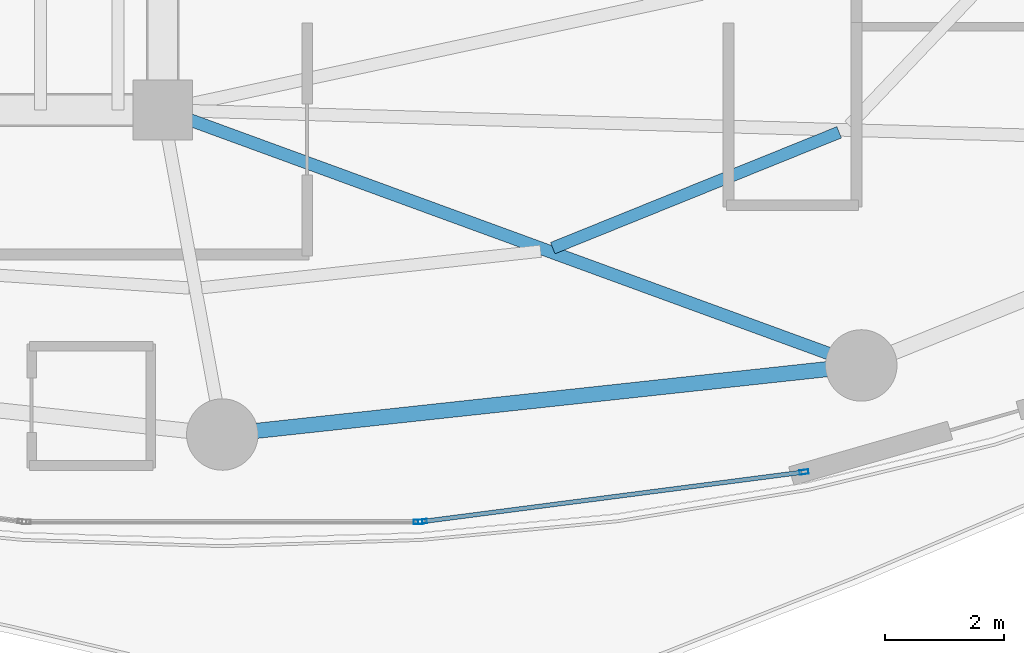
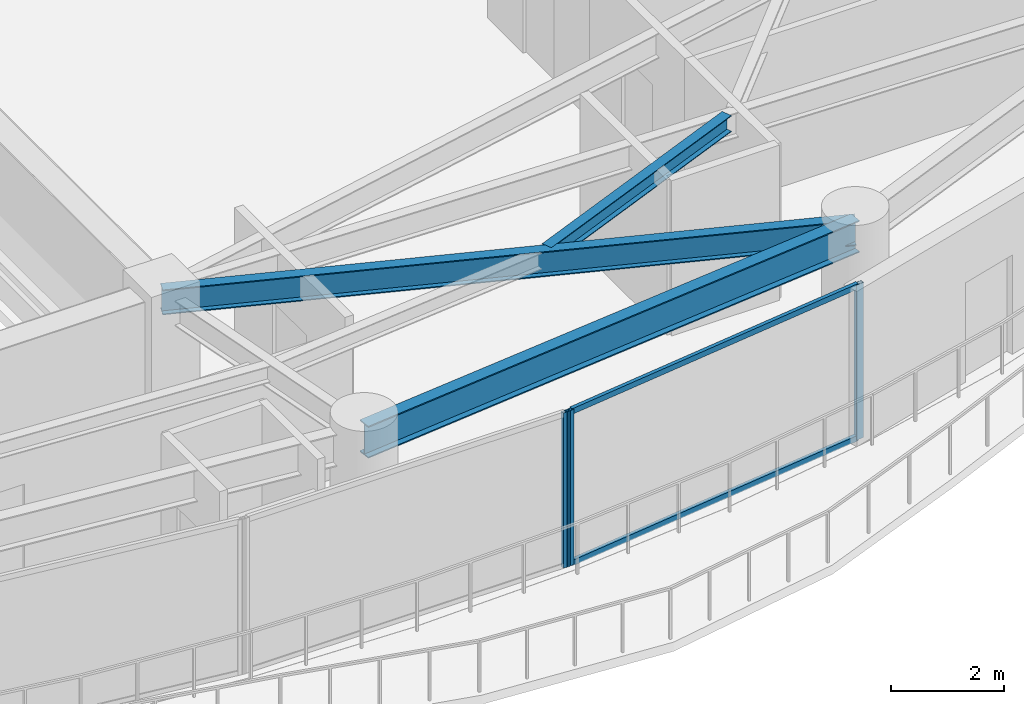
# One storey, part 9 of 28: 5 members, 3 beams, 2 elements without a shape of their own.
"""IFC4 building model written with IfcOpenShell, lengths in metres."""

import ifcopenshell
import ifcopenshell.guid

model = None  # the IFC model being written
_history = None  # IfcOwnerHistory: only IFC2X3 demands one
_inside = {}  # id of a spatial element -> (the spatial element, [elements in it])
_under = {}  # id of a project, library or spatial element -> (it, [spatial elements below it])
_declared = {}  # id of a project -> (the project, [libraries it declares])
_typed = {}  # id of a type object -> (the type object, [elements of that type])
_made_of = {}  # id of a material, layer set ... -> (it, [elements and type objects made of it])


def new_model(schema):
    """Start an empty IFC model of exactly this schema.

    Asked for "IFC4X3", IfcOpenShell would pick the latest addendum, in which some entities
    have other attributes; the version numbers below select the first issue.
    IFC2X3 requires an IfcOwnerHistory on every rooted entity: one is made here for all.
    """
    global model, _history
    if schema == "IFC4X3":
        model = ifcopenshell.file(schema_version=(4, 3, 0, 0))
    else:
        model = ifcopenshell.file(schema=schema)
    _inside.clear()
    _under.clear()
    _declared.clear()
    _typed.clear()
    _made_of.clear()
    _history = None
    if model.schema == "IFC2X3":
        org = make("IfcOrganization", Name="unknown")
        user = make(
            "IfcPersonAndOrganization",
            ThePerson=make("IfcPerson", FamilyName="unknown"),
            TheOrganization=org,
        )
        app = make(
            "IfcApplication",
            ApplicationDeveloper=org,
            Version="unknown",
            ApplicationFullName="unknown",
            ApplicationIdentifier="unknown",
        )
        _history = make(
            "IfcOwnerHistory",
            OwningUser=user,
            OwningApplication=app,
            ChangeAction="ADDED",
            CreationDate=0,
        )
    return model


def make(cls, **values):
    """One entity of the class cls with the attributes given. An attribute that is None is left unset."""
    return model.create_entity(
        cls, **{name: value for name, value in values.items() if value is not None}
    )


def rooted(cls, **values):
    """An entity with a GlobalId (a new one), such as an element, a storey or a relation."""
    return make(cls, GlobalId=ifcopenshell.guid.new(), OwnerHistory=_history, **values)


def si_unit(unit_type, name, prefix=None):
    """IfcSIUnit, for example si_unit("LENGTHUNIT", "METRE", prefix="MILLI")."""
    return make("IfcSIUnit", UnitType=unit_type, Prefix=prefix, Name=name)


def assignment(units):
    """IfcUnitAssignment: the units of a project."""
    return None if units is None else make("IfcUnitAssignment", Units=units)


def point(xyz):
    """IfcCartesianPoint."""
    return None if xyz is None else make("IfcCartesianPoint", Coordinates=xyz)


def direction(xyz):
    """IfcDirection."""
    return None if xyz is None else make("IfcDirection", DirectionRatios=xyz)


def frame(location, z_axis=None, x_axis=None):
    """IfcAxis2Placement3D, a coordinate frame: its origin and axes. An axis left out is left unset."""
    return make(
        "IfcAxis2Placement3D",
        Location=point(location),
        Axis=direction(z_axis),
        RefDirection=direction(x_axis),
    )


def frame_2d(location, x_axis=None):
    """IfcAxis2Placement2D, a coordinate frame in the plane: its origin and x axis."""
    return make(
        "IfcAxis2Placement2D", Location=point(location), RefDirection=direction(x_axis)
    )


def origin():
    """The frame at (0, 0, 0) with its axes left unset."""
    return frame((0.0, 0.0, 0.0))


def origin_2d():
    """The frame at (0, 0) in the plane with its x axis left unset."""
    return frame_2d((0.0, 0.0))


def place(relative_to, where):
    """IfcLocalPlacement: puts the frame where relative to a parent placement (None: the world)."""
    return make(
        "IfcLocalPlacement", PlacementRelTo=relative_to, RelativePlacement=where
    )


def context(
    kind, dimensions, precision=None, world=None, true_north=None, identifier=None
):
    """IfcGeometricRepresentationContext, for example the 3D "Model" context."""
    return make(
        "IfcGeometricRepresentationContext",
        ContextIdentifier=identifier,
        ContextType=kind,
        CoordinateSpaceDimension=dimensions,
        Precision=precision,
        WorldCoordinateSystem=world,
        TrueNorth=true_north,
    )


def subcontext(parent, identifier, kind, view, scale=None):
    """IfcGeometricRepresentationSubContext, for example "Body" below "Model"."""
    return make(
        "IfcGeometricRepresentationSubContext",
        ContextIdentifier=identifier,
        ContextType=kind,
        ParentContext=parent,
        TargetScale=scale,
        TargetView=view,
    )


def project(units=None, contexts=None):
    """IfcProject with its units and contexts."""
    return rooted(
        "IfcProject",
        Name="project",
        RepresentationContexts=contexts,
        UnitsInContext=assignment(units),
    )


def spatial(cls, under=None, at=None, **own):
    """A site, building, storey or space (cls), placed at a placement, below another one or the project."""
    s = rooted(cls, ObjectPlacement=at, **own)
    if under is not None:
        _under.setdefault(under.id(), (under, []))[1].append(s)
    return s


def profile(cls, at=None, kind="AREA", **sizes):
    """A parametric profile (cls). Its sizes go by their IFC names, for example OverallWidth=200.0."""
    return make(cls, ProfileType=kind, Position=at, **sizes)


def hollow_rectangle(**sizes):
    """IfcRectangleHollowProfileDef."""
    return profile("IfcRectangleHollowProfileDef", **sizes)


def i_section(**sizes):
    """IfcIShapeProfileDef."""
    return profile("IfcIShapeProfileDef", **sizes)


def extrude(swept, where, along, depth):
    """IfcExtrudedAreaSolid: the profile swept, set in the frame where, extruded along a direction by depth."""
    return make(
        "IfcExtrudedAreaSolid",
        SweptArea=swept,
        Position=where,
        ExtrudedDirection=direction(along),
        Depth=depth,
    )


def shape(context_of_items, identifier, shape_type, items):
    """IfcShapeRepresentation: the items that make up one representation, for example the "Body"."""
    return make(
        "IfcShapeRepresentation",
        ContextOfItems=context_of_items,
        RepresentationIdentifier=identifier,
        RepresentationType=shape_type,
        Items=items,
    )


def material(Name=None, Category=None):
    """IfcMaterial."""
    return make("IfcMaterial", Name=Name, Category=Category)


def layer(
    of_material, thickness, ventilated=None, Name=None, Category=None, Priority=None
):
    """IfcMaterialLayer: one layer of a wall or slab, of a material (None: an air gap)."""
    return make(
        "IfcMaterialLayer",
        Material=of_material,
        LayerThickness=thickness,
        IsVentilated=ventilated,
        Name=Name,
        Category=Category,
        Priority=Priority,
    )


def layer_set(layers, Name=None):
    """IfcMaterialLayerSet."""
    return make("IfcMaterialLayerSet", MaterialLayers=layers, LayerSetName=Name)


def material_profile(
    of_material, cross_section, Name=None, Category=None, Priority=None
):
    """IfcMaterialProfile: a cross section and its material."""
    return make(
        "IfcMaterialProfile",
        Name=Name,
        Material=of_material,
        Profile=cross_section,
        Priority=Priority,
        Category=Category,
    )


def profile_set(profiles, Name=None, composite=None):
    """IfcMaterialProfileSet."""
    return make(
        "IfcMaterialProfileSet",
        Name=Name,
        MaterialProfiles=profiles,
        CompositeProfile=composite,
    )


def made_of(thing, what):
    """Note that an element or type object is made of a material, layer set ...; save() writes the relation."""
    if what is not None:
        _made_of.setdefault(what.id(), (what, []))[1].append(thing)
    return thing


def type_object(cls, material=None, **own):
    """A type object (cls), such as IfcWallType, which elements share."""
    return made_of(rooted(cls, **own), material)


def element(
    cls,
    number,
    at=None,
    inside=None,
    cuts=None,
    type_object=None,
    material=None,
    context=None,
    identifier="Body",
    shape_type=None,
    held_by="IfcProductDefinitionShape",
    body=None,
    shapes=None,
    **own,
):
    """One element of the class cls, such as IfcWall. Its Tag is "e" and its number.

    at: its placement. inside: the storey or other place that contains it. cuts: it is an
    opening in that element (IfcRelVoidsElement). A single representation is given by context,
    identifier, shape_type and body (its items); several are given by shapes. held_by: the class
    of the entity that holds the representations. save() writes the other relations.
    """
    e = rooted(cls, Tag="e%d" % number, ObjectPlacement=at, **own)
    if body is not None:
        shapes = [shape(context, identifier, shape_type, body)]
    if shapes is not None:
        e.Representation = make(held_by, Representations=shapes)
    if inside is not None:
        _inside.setdefault(inside.id(), (inside, []))[1].append(e)
    if cuts is not None:
        rooted(
            "IfcRelVoidsElement", RelatingBuildingElement=cuts, RelatedOpeningElement=e
        )
    if type_object is not None:
        _typed.setdefault(type_object.id(), (type_object, []))[1].append(e)
    return made_of(e, material)


def aggregate(whole, parts):
    """IfcRelAggregates: a whole, such as a stair, and the parts it consists of."""
    return rooted("IfcRelAggregates", RelatingObject=whole, RelatedObjects=parts)


def save(model, path):
    """Write the relations noted so far, then the file.

    IfcRelAggregates (storeys below a building ...), IfcRelContainedInSpatialStructure (elements
    in a storey), IfcRelDefinesByType, IfcRelAssociatesMaterial and IfcRelDeclares: one each for
    every whole, place, type object, material and project.
    """
    for whole, parts in _under.values():
        aggregate(whole, parts)
    for where, things in _inside.values():
        rooted(
            "IfcRelContainedInSpatialStructure",
            RelatedElements=things,
            RelatingStructure=where,
        )
    for kind, things in _typed.values():
        rooted("IfcRelDefinesByType", RelatedObjects=things, RelatingType=kind)
    for what, things in _made_of.values():
        rooted("IfcRelAssociatesMaterial", RelatedObjects=things, RelatingMaterial=what)
    for by, libraries in _declared.values():
        rooted("IfcRelDeclares", RelatingContext=by, RelatedDefinitions=libraries)
    model.write(path)


model = new_model("IFC4")

# Units and contexts
model_context = context("Model", 3, precision=1e-05, world=origin(), true_north=direction((0.0, 1.0)))
body_context = subcontext(model_context, "Body", "Model", "MODEL_VIEW")
ifc_project = project(units=[si_unit("LENGTHUNIT", "METRE"), si_unit("AREAUNIT", "SQUARE_METRE"), si_unit("VOLUMEUNIT", "CUBIC_METRE"), si_unit("PLANEANGLEUNIT", "RADIAN"), si_unit("MASSUNIT", "GRAM", prefix="KILO")], contexts=[model_context])

# Site, building, storey
site_placement = place(None, origin())
site = spatial("IfcSite", under=ifc_project, at=site_placement, CompositionType="ELEMENT")
building_placement = place(site_placement, origin())
building = spatial("IfcBuilding", under=site, at=building_placement, Name="Kazevale Care Tower and Concert Hall", CompositionType="ELEMENT")
storey_placement = place(building_placement, frame((0.0, 0.0, 109.800048828125)))
storey = spatial("IfcBuildingStorey", under=building, at=storey_placement, Name="L28", CompositionType="ELEMENT", Elevation=109.800048828125)

# Curtain wall, members
ifc_material_1 = material(Name="Aluminium 6063-T6 and Low-E Glass", Category="aluminium")
ifc_layer = layer(ifc_material_1, 0.179931640625)
ifc_layer_set = layer_set([ifc_layer], Name="Aluminium 6063-T6 and Low-E Glass")
curtain_wall_type = type_object("IfcCurtainWallType", Name="Sheltered Concave Balcony Curtain Wall CW-5", PredefinedType="NOTDEFINED", material=ifc_layer_set)
curtain_wall_1_placement = place(storey_placement, origin())
curtain_wall_1 = element("IfcCurtainWall", 1, at=curtain_wall_1_placement, inside=storey, type_object=curtain_wall_type, Name="cw:L28:f05", PredefinedType="NOTDEFINED")
ifc_material_2 = material(Name="Aluminium 6063-T6", Category="aluminium")
ifc_material_profile_1 = material_profile(ifc_material_2, hollow_rectangle(XDim=0.074951171875, YDim=0.14990234375, WallThickness=0.00390625, at=origin_2d()), Name="ALU75x150x4")
ifc_profile_set_1 = profile_set([ifc_material_profile_1], Name="Aluminium 6063-T6")
member_type_1 = type_object("IfcMemberType", Name="CW-5 Mullion ALU75x150x4", PredefinedType="MULLION", material=ifc_profile_set_1)
member_1_placement = place(storey_placement, frame((54.768798828125, 17.520263671875, 0.0), z_axis=(0.0, 0.0, 1.0), x_axis=(0.12868500567, -0.991685519364, 0.0)))
member_1 = element("IfcMember", 2, at=member_1_placement, type_object=member_type_1, Name="CW-5 mullion 1", PredefinedType="MULLION", context=body_context, shape_type="SweptSolid", body=[
    extrude(hollow_rectangle(XDim=0.074951171875, YDim=0.14990234375, WallThickness=0.00390625, at=origin_2d()), origin(), (0.0, 0.0, 1.0), 3.35986328125),
])
member_2_placement = place(storey_placement, frame((48.3623046875, 16.688720703125, 0.0), z_axis=(0.0, 0.0, 1.0), x_axis=(0.12868500567, -0.991685519364, 0.0)))
member_2 = element("IfcMember", 3, at=member_2_placement, type_object=member_type_1, Name="CW-5 mullion 2", PredefinedType="MULLION", context=body_context, shape_type="SweptSolid", body=[
    extrude(hollow_rectangle(XDim=0.074951171875, YDim=0.14990234375, WallThickness=0.00390625, at=origin_2d()), origin(), (0.0, 0.0, 1.0), 3.35986328125),
])

# Curtain wall, member
curtain_wall_2_placement = place(storey_placement, origin())
curtain_wall_2 = element("IfcCurtainWall", 4, at=curtain_wall_2_placement, inside=storey, type_object=curtain_wall_type, Name="cw:L28:f06", PredefinedType="NOTDEFINED")
member_3_placement = place(storey_placement, frame((48.28759765625, 16.68408203125, 0.0), z_axis=(0.0, 0.0, 1.0), x_axis=(0.0, -1.0, 0.0)))
member_3 = element("IfcMember", 5, at=member_3_placement, type_object=member_type_1, Name="CW-5 mullion 1", PredefinedType="MULLION", context=body_context, shape_type="SweptSolid", body=[
    extrude(hollow_rectangle(XDim=0.074951171875, YDim=0.14990234375, WallThickness=0.00390625, at=origin_2d()), origin(), (0.0, 0.0, 1.0), 3.35986328125),
])
aggregate(curtain_wall_2, [member_3])

# Member
ifc_material_profile_2 = material_profile(ifc_material_2, hollow_rectangle(XDim=0.074951171875, YDim=0.1201171875, WallThickness=0.00390625, at=origin_2d()), Name="ALU75x120x4")
ifc_profile_set_2 = profile_set([ifc_material_profile_2], Name="Aluminium 6063-T6")
member_type_2 = type_object("IfcMemberType", Name="CW-5 Transom ALU75x120x4", PredefinedType="USERDEFINED", material=ifc_profile_set_2)
member_4_placement = place(storey_placement, frame((54.731689453125, 17.515380859375, 0.037353515625), z_axis=(-0.991683991743, -0.12869677743, 0.0), x_axis=(0.12869677743, -0.991683991743, 0.0)))
member_4 = element("IfcMember", 6, at=member_4_placement, type_object=member_type_2, Name="CW-5 transom 1.1", ObjectType="TRANSOM", PredefinedType="USERDEFINED", context=body_context, shape_type="SweptSolid", body=[
    extrude(hollow_rectangle(XDim=0.074951171875, YDim=0.1201171875, WallThickness=0.00390625, at=origin_2d()), origin(), (0.0, 0.0, 1.0), 6.385498046875),
])

member_5_placement = place(storey_placement, frame((54.731689453125, 17.515380859375, 3.322509765625), z_axis=(-0.991683991743, -0.12869677743, 0.0), x_axis=(0.12869677743, -0.991683991743, 0.0)))
member_5 = element("IfcMember", 7, at=member_5_placement, type_object=member_type_2, Name="CW-5 transom 1.2", ObjectType="TRANSOM", PredefinedType="USERDEFINED", context=body_context, shape_type="SweptSolid", body=[
    extrude(hollow_rectangle(XDim=0.074951171875, YDim=0.1201171875, WallThickness=0.00390625, at=origin_2d()), origin(), (0.0, 0.0, 1.0), 6.385498046875),
])

aggregate(curtain_wall_1, [member_1, member_2, member_4, member_5])

# Beams
ifc_material_3 = material(Name="Steel ASTM A572 Gr 50", Category="steel")
ifc_material_profile_3 = material_profile(ifc_material_3, i_section(OverallWidth=0.2119140625, OverallDepth=0.5439453125, WebThickness=0.01318359375, FlangeThickness=0.021240234375, at=origin_2d()), Name="W530x123")
ifc_profile_set_3 = profile_set([ifc_material_profile_3], Name="Steel ASTM A572 Gr 50")
beam_type_1 = type_object("IfcBeamType", Name="Radial Floor Girder W530x123", PredefinedType="BEAM", material=ifc_profile_set_3)
beam_1_placement = place(storey_placement, frame((44.0, 23.60009765625, 3.087890625), z_axis=(0.939159459123, -0.343481455599, 0.0), x_axis=(0.343481455599, 0.939159459123, 0.0)))
element("IfcBeam", 8, at=beam_1_placement, inside=storey, type_object=beam_type_1, Name="beam:L28:rad:14", PredefinedType="BEAM", context=body_context, shape_type="SweptSolid", body=[
    extrude(i_section(OverallWidth=0.2119140625, OverallDepth=0.5439453125, WebThickness=0.01318359375, FlangeThickness=0.021240234375, at=origin_2d()), origin(), (0.0, 0.0, 1.0), 12.489990234375),
])
ifc_material_profile_4 = material_profile(ifc_material_3, i_section(OverallWidth=0.205078125, OverallDepth=0.35400390625, WebThickness=0.009521484375, FlangeThickness=0.016845703125, at=origin_2d()), Name="W360x79")
ifc_profile_set_4 = profile_set([ifc_material_profile_4], Name="Steel ASTM A572 Gr 50")
beam_type_2 = type_object("IfcBeamType", Name="Secondary Floor Joist W360x79", PredefinedType="JOIST", material=ifc_profile_set_4)
beam_2_placement = place(storey_placement, frame((50.549072265625, 21.280029296875, 3.182861328125), z_axis=(0.927064833216, 0.374901046964, 0.0), x_axis=(-0.374901046964, 0.927064833216, 0.0)))
element("IfcBeam", 9, at=beam_2_placement, inside=storey, type_object=beam_type_2, Name="beam:L28:joist:14", PredefinedType="JOIST", context=body_context, shape_type="SweptSolid", body=[
    extrude(i_section(OverallWidth=0.205078125, OverallDepth=0.35400390625, WebThickness=0.009521484375, FlangeThickness=0.016845703125, at=origin_2d()), origin(), (0.0, 0.0, 1.0), 5.188232421875),
])
ifc_material_profile_5 = material_profile(ifc_material_3, i_section(OverallWidth=0.256103515625, OverallDepth=0.693115234375, WebThickness=0.014404296875, FlangeThickness=0.023681640625, at=origin_2d()), Name="W690x170")
ifc_profile_set_5 = profile_set([ifc_material_profile_5], Name="Steel ASTM A572 Gr 50")
beam_type_3 = type_object("IfcBeamType", Name="Waist Ring Beam W690x170", PredefinedType="BEAM", material=ifc_profile_set_5)
beam_3_placement = place(storey_placement, frame((45.0, 18.14990234375, 3.013427734375), z_axis=(0.994205479487, 0.107496346724, 0.0), x_axis=(-0.107496346724, 0.994205479487, 0.0)))
element("IfcBeam", 10, at=beam_3_placement, inside=storey, type_object=beam_type_3, Name="beam:L28:ring:13", PredefinedType="BEAM", context=body_context, shape_type="SweptSolid", body=[
    extrude(i_section(OverallWidth=0.256103515625, OverallDepth=0.693115234375, WebThickness=0.014404296875, FlangeThickness=0.023681640625, at=origin_2d()), origin(), (0.0, 0.0, 1.0), 10.79248046875),
])

save(model, "model.ifc")
